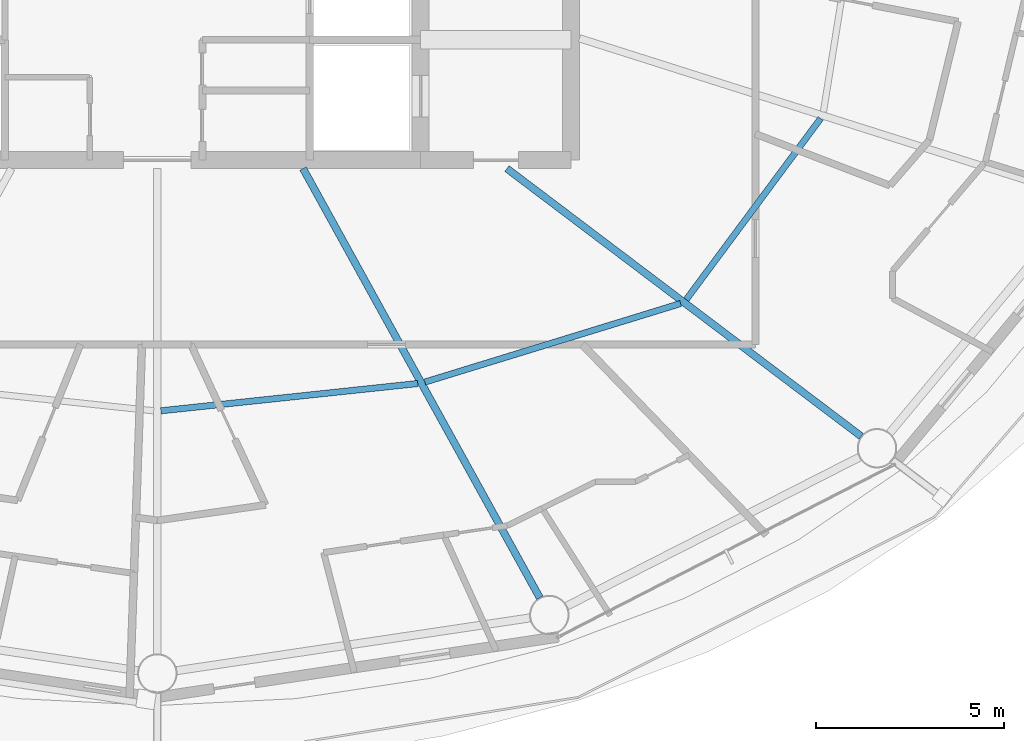
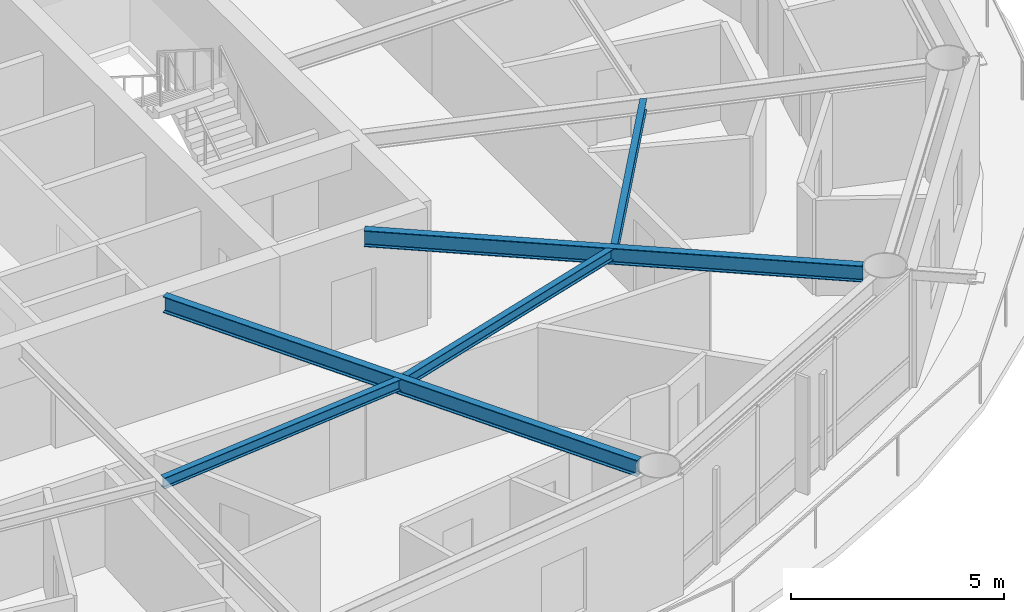
# One storey, part 6 of 27: 5 beams.
"""IFC4 building model written with IfcOpenShell, lengths in metres."""

import ifcopenshell
import ifcopenshell.guid

model = None  # the IFC model being written
_history = None  # IfcOwnerHistory: only IFC2X3 demands one
_inside = {}  # id of a spatial element -> (the spatial element, [elements in it])
_under = {}  # id of a project, library or spatial element -> (it, [spatial elements below it])
_declared = {}  # id of a project -> (the project, [libraries it declares])
_typed = {}  # id of a type object -> (the type object, [elements of that type])
_made_of = {}  # id of a material, layer set ... -> (it, [elements and type objects made of it])


def new_model(schema):
    """Start an empty IFC model of exactly this schema.

    Asked for "IFC4X3", IfcOpenShell would pick the latest addendum, in which some entities
    have other attributes; the version numbers below select the first issue.
    IFC2X3 requires an IfcOwnerHistory on every rooted entity: one is made here for all.
    """
    global model, _history
    if schema == "IFC4X3":
        model = ifcopenshell.file(schema_version=(4, 3, 0, 0))
    else:
        model = ifcopenshell.file(schema=schema)
    _inside.clear()
    _under.clear()
    _declared.clear()
    _typed.clear()
    _made_of.clear()
    _history = None
    if model.schema == "IFC2X3":
        org = make("IfcOrganization", Name="unknown")
        user = make(
            "IfcPersonAndOrganization",
            ThePerson=make("IfcPerson", FamilyName="unknown"),
            TheOrganization=org,
        )
        app = make(
            "IfcApplication",
            ApplicationDeveloper=org,
            Version="unknown",
            ApplicationFullName="unknown",
            ApplicationIdentifier="unknown",
        )
        _history = make(
            "IfcOwnerHistory",
            OwningUser=user,
            OwningApplication=app,
            ChangeAction="ADDED",
            CreationDate=0,
        )
    return model


def make(cls, **values):
    """One entity of the class cls with the attributes given. An attribute that is None is left unset."""
    return model.create_entity(
        cls, **{name: value for name, value in values.items() if value is not None}
    )


def rooted(cls, **values):
    """An entity with a GlobalId (a new one), such as an element, a storey or a relation."""
    return make(cls, GlobalId=ifcopenshell.guid.new(), OwnerHistory=_history, **values)


def si_unit(unit_type, name, prefix=None):
    """IfcSIUnit, for example si_unit("LENGTHUNIT", "METRE", prefix="MILLI")."""
    return make("IfcSIUnit", UnitType=unit_type, Prefix=prefix, Name=name)


def assignment(units):
    """IfcUnitAssignment: the units of a project."""
    return None if units is None else make("IfcUnitAssignment", Units=units)


def point(xyz):
    """IfcCartesianPoint."""
    return None if xyz is None else make("IfcCartesianPoint", Coordinates=xyz)


def direction(xyz):
    """IfcDirection."""
    return None if xyz is None else make("IfcDirection", DirectionRatios=xyz)


def frame(location, z_axis=None, x_axis=None):
    """IfcAxis2Placement3D, a coordinate frame: its origin and axes. An axis left out is left unset."""
    return make(
        "IfcAxis2Placement3D",
        Location=point(location),
        Axis=direction(z_axis),
        RefDirection=direction(x_axis),
    )


def frame_2d(location, x_axis=None):
    """IfcAxis2Placement2D, a coordinate frame in the plane: its origin and x axis."""
    return make(
        "IfcAxis2Placement2D", Location=point(location), RefDirection=direction(x_axis)
    )


def origin():
    """The frame at (0, 0, 0) with its axes left unset."""
    return frame((0.0, 0.0, 0.0))


def origin_2d():
    """The frame at (0, 0) in the plane with its x axis left unset."""
    return frame_2d((0.0, 0.0))


def place(relative_to, where):
    """IfcLocalPlacement: puts the frame where relative to a parent placement (None: the world)."""
    return make(
        "IfcLocalPlacement", PlacementRelTo=relative_to, RelativePlacement=where
    )


def context(
    kind, dimensions, precision=None, world=None, true_north=None, identifier=None
):
    """IfcGeometricRepresentationContext, for example the 3D "Model" context."""
    return make(
        "IfcGeometricRepresentationContext",
        ContextIdentifier=identifier,
        ContextType=kind,
        CoordinateSpaceDimension=dimensions,
        Precision=precision,
        WorldCoordinateSystem=world,
        TrueNorth=true_north,
    )


def subcontext(parent, identifier, kind, view, scale=None):
    """IfcGeometricRepresentationSubContext, for example "Body" below "Model"."""
    return make(
        "IfcGeometricRepresentationSubContext",
        ContextIdentifier=identifier,
        ContextType=kind,
        ParentContext=parent,
        TargetScale=scale,
        TargetView=view,
    )


def project(units=None, contexts=None):
    """IfcProject with its units and contexts."""
    return rooted(
        "IfcProject",
        Name="project",
        RepresentationContexts=contexts,
        UnitsInContext=assignment(units),
    )


def spatial(cls, under=None, at=None, **own):
    """A site, building, storey or space (cls), placed at a placement, below another one or the project."""
    s = rooted(cls, ObjectPlacement=at, **own)
    if under is not None:
        _under.setdefault(under.id(), (under, []))[1].append(s)
    return s


def profile(cls, at=None, kind="AREA", **sizes):
    """A parametric profile (cls). Its sizes go by their IFC names, for example OverallWidth=200.0."""
    return make(cls, ProfileType=kind, Position=at, **sizes)


def i_section(**sizes):
    """IfcIShapeProfileDef."""
    return profile("IfcIShapeProfileDef", **sizes)


def extrude(swept, where, along, depth):
    """IfcExtrudedAreaSolid: the profile swept, set in the frame where, extruded along a direction by depth."""
    return make(
        "IfcExtrudedAreaSolid",
        SweptArea=swept,
        Position=where,
        ExtrudedDirection=direction(along),
        Depth=depth,
    )


def shape(context_of_items, identifier, shape_type, items):
    """IfcShapeRepresentation: the items that make up one representation, for example the "Body"."""
    return make(
        "IfcShapeRepresentation",
        ContextOfItems=context_of_items,
        RepresentationIdentifier=identifier,
        RepresentationType=shape_type,
        Items=items,
    )


def material(Name=None, Category=None):
    """IfcMaterial."""
    return make("IfcMaterial", Name=Name, Category=Category)


def material_profile(
    of_material, cross_section, Name=None, Category=None, Priority=None
):
    """IfcMaterialProfile: a cross section and its material."""
    return make(
        "IfcMaterialProfile",
        Name=Name,
        Material=of_material,
        Profile=cross_section,
        Priority=Priority,
        Category=Category,
    )


def profile_set(profiles, Name=None, composite=None):
    """IfcMaterialProfileSet."""
    return make(
        "IfcMaterialProfileSet",
        Name=Name,
        MaterialProfiles=profiles,
        CompositeProfile=composite,
    )


def made_of(thing, what):
    """Note that an element or type object is made of a material, layer set ...; save() writes the relation."""
    if what is not None:
        _made_of.setdefault(what.id(), (what, []))[1].append(thing)
    return thing


def type_object(cls, material=None, **own):
    """A type object (cls), such as IfcWallType, which elements share."""
    return made_of(rooted(cls, **own), material)


def element(
    cls,
    number,
    at=None,
    inside=None,
    cuts=None,
    type_object=None,
    material=None,
    context=None,
    identifier="Body",
    shape_type=None,
    held_by="IfcProductDefinitionShape",
    body=None,
    shapes=None,
    **own,
):
    """One element of the class cls, such as IfcWall. Its Tag is "e" and its number.

    at: its placement. inside: the storey or other place that contains it. cuts: it is an
    opening in that element (IfcRelVoidsElement). A single representation is given by context,
    identifier, shape_type and body (its items); several are given by shapes. held_by: the class
    of the entity that holds the representations. save() writes the other relations.
    """
    e = rooted(cls, Tag="e%d" % number, ObjectPlacement=at, **own)
    if body is not None:
        shapes = [shape(context, identifier, shape_type, body)]
    if shapes is not None:
        e.Representation = make(held_by, Representations=shapes)
    if inside is not None:
        _inside.setdefault(inside.id(), (inside, []))[1].append(e)
    if cuts is not None:
        rooted(
            "IfcRelVoidsElement", RelatingBuildingElement=cuts, RelatedOpeningElement=e
        )
    if type_object is not None:
        _typed.setdefault(type_object.id(), (type_object, []))[1].append(e)
    return made_of(e, material)


def aggregate(whole, parts):
    """IfcRelAggregates: a whole, such as a stair, and the parts it consists of."""
    return rooted("IfcRelAggregates", RelatingObject=whole, RelatedObjects=parts)


def save(model, path):
    """Write the relations noted so far, then the file.

    IfcRelAggregates (storeys below a building ...), IfcRelContainedInSpatialStructure (elements
    in a storey), IfcRelDefinesByType, IfcRelAssociatesMaterial and IfcRelDeclares: one each for
    every whole, place, type object, material and project.
    """
    for whole, parts in _under.values():
        aggregate(whole, parts)
    for where, things in _inside.values():
        rooted(
            "IfcRelContainedInSpatialStructure",
            RelatedElements=things,
            RelatingStructure=where,
        )
    for kind, things in _typed.values():
        rooted("IfcRelDefinesByType", RelatedObjects=things, RelatingType=kind)
    for what, things in _made_of.values():
        rooted("IfcRelAssociatesMaterial", RelatedObjects=things, RelatingMaterial=what)
    for by, libraries in _declared.values():
        rooted("IfcRelDeclares", RelatingContext=by, RelatedDefinitions=libraries)
    model.write(path)


model = new_model("IFC4")

# Units and contexts
model_context = context("Model", 3, precision=1e-05, world=origin(), true_north=direction((0.0, 1.0)))
body_context = subcontext(model_context, "Body", "Model", "MODEL_VIEW")
ifc_project = project(units=[si_unit("LENGTHUNIT", "METRE"), si_unit("AREAUNIT", "SQUARE_METRE"), si_unit("VOLUMEUNIT", "CUBIC_METRE"), si_unit("PLANEANGLEUNIT", "RADIAN"), si_unit("MASSUNIT", "GRAM", prefix="KILO")], contexts=[model_context])

# Site, building, storey
site_placement = place(None, origin())
site = spatial("IfcSite", under=ifc_project, at=site_placement, CompositionType="ELEMENT")
building_placement = place(site_placement, origin())
building = spatial("IfcBuilding", under=site, at=building_placement, Name="Sarneth Arch Tower", CompositionType="ELEMENT")
storey_placement = place(building_placement, frame((0.0, 0.0, 157.800048828125)))
storey = spatial("IfcBuildingStorey", under=building, at=storey_placement, Name="L39", CompositionType="ELEMENT", Elevation=157.800048828125)

# Beams
ifc_material_1 = material(Name="Steel S355", Category="steel")
ifc_material_profile_1 = material_profile(ifc_material_1, i_section(OverallWidth=0.1669921875, OverallDepth=0.31689453125, WebThickness=0.007568359375, FlangeThickness=0.01318359375, FilletRadius=0.012939453125, at=origin_2d()), Name="W310x52")
ifc_profile_set_1 = profile_set([ifc_material_profile_1], Name="Steel S355")
beam_type_1 = type_object("IfcBeamType", Name="BM-JOIST-310B", PredefinedType="JOIST", material=ifc_profile_set_1)
beam_1_placement = place(storey_placement, frame((48.095947265625, 28.53515625, 3.221435546875), z_axis=(0.994407831942, 0.105608066799, 0.0), x_axis=(-0.105608066799, 0.994407831942, 0.0)))
element("IfcBeam", 1, at=beam_1_placement, inside=storey, type_object=beam_type_1, Name="L39 Secondary floor joist 13", PredefinedType="JOIST", context=body_context, shape_type="SweptSolid", body=[
    extrude(i_section(OverallWidth=0.1669921875, OverallDepth=0.31689453125, WebThickness=0.007568359375, FlangeThickness=0.01318359375, FilletRadius=0.012939453125, at=origin_2d()), origin(), (0.0, 0.0, 1.0), 6.8681640625),
])
beam_2_placement = place(storey_placement, frame((55.114013671875, 29.299072265625, 3.221435546875), z_axis=(0.955929549608, 0.293596144707, 0.0), x_axis=(-0.293596144707, 0.955929549608, 0.0)))
element("IfcBeam", 2, at=beam_2_placement, inside=storey, type_object=beam_type_1, Name="L39 Secondary floor joist 14", PredefinedType="JOIST", context=body_context, shape_type="SweptSolid", body=[
    extrude(i_section(OverallWidth=0.1669921875, OverallDepth=0.31689453125, WebThickness=0.007568359375, FlangeThickness=0.01318359375, FilletRadius=0.012939453125, at=origin_2d()), origin(), (0.0, 0.0, 1.0), 7.1123046875),
])
beam_3_placement = place(storey_placement, frame((62.062744140625, 31.4931640625, 3.221435546875), z_axis=(0.595933334016, 0.803033910497, 0.0), x_axis=(-0.803033910497, 0.595933334016, 0.0)))
element("IfcBeam", 3, at=beam_3_placement, inside=storey, type_object=beam_type_1, Name="L39 Secondary floor joist 15", PredefinedType="JOIST", context=body_context, shape_type="SweptSolid", body=[
    extrude(i_section(OverallWidth=0.1669921875, OverallDepth=0.31689453125, WebThickness=0.007568359375, FlangeThickness=0.01318359375, FilletRadius=0.012939453125, at=origin_2d()), origin(), (0.0, 0.0, 1.0), 5.99560546875),
])
ifc_material_2 = material(Name="Steel S355", Category="steel")
ifc_material_profile_2 = material_profile(ifc_material_2, i_section(OverallWidth=0.193115234375, OverallDepth=0.466064453125, WebThickness=0.011474609375, FlangeThickness=0.01904296875, FilletRadius=0.01806640625, at=origin_2d()), Name="W460x97")
ifc_profile_set_2 = profile_set([ifc_material_profile_2], Name="Steel S355")
beam_type_2 = type_object("IfcBeamType", Name="BM-RAD-460C", PredefinedType="BEAM", material=ifc_profile_set_2)
beam_4_placement = place(storey_placement, frame((51.875, 34.97509765625, 3.14697265625), z_axis=(0.483004525121, -0.87561785541, 0.0), x_axis=(0.87561785541, 0.483004525121, 0.0)))
element("IfcBeam", 4, at=beam_4_placement, inside=storey, type_object=beam_type_2, Name="L39 Radial floor girder 14", PredefinedType="BEAM", context=body_context, shape_type="SweptSolid", body=[
    extrude(i_section(OverallWidth=0.193115234375, OverallDepth=0.466064453125, WebThickness=0.011474609375, FlangeThickness=0.01904296875, FilletRadius=0.01806640625, at=origin_2d()), origin(), (0.0, 0.0, 1.0), 13.029296875),
])
beam_5_placement = place(storey_placement, frame((57.29541015625, 34.97509765625, 3.14697265625), z_axis=(0.797786205076, -0.602940437349, 0.0), x_axis=(0.602940437349, 0.797786205076, 0.0)))
element("IfcBeam", 5, at=beam_5_placement, inside=storey, type_object=beam_type_2, Name="L39 Radial floor girder 15", PredefinedType="BEAM", context=body_context, shape_type="SweptSolid", body=[
    extrude(i_section(OverallWidth=0.193115234375, OverallDepth=0.466064453125, WebThickness=0.011474609375, FlangeThickness=0.01904296875, FilletRadius=0.01806640625, at=origin_2d()), origin(), (0.0, 0.0, 1.0), 11.806884765625),
])

save(model, "model.ifc")
